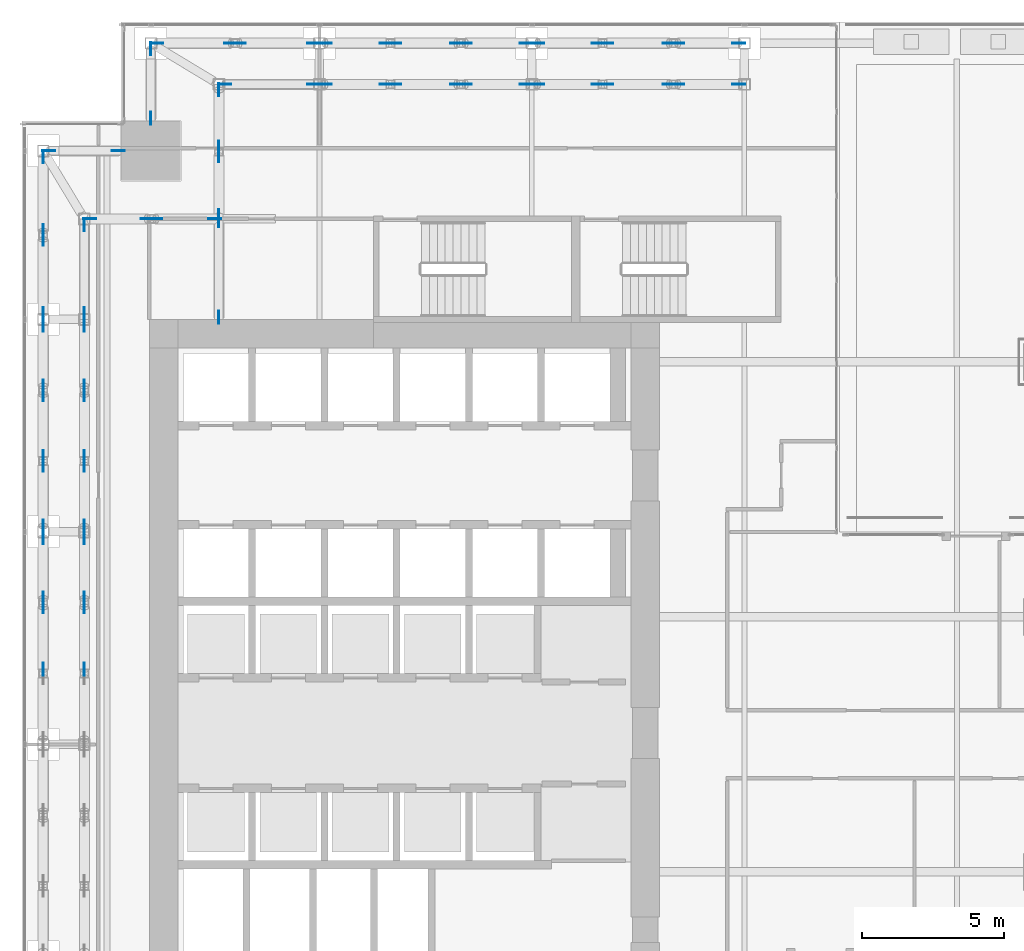
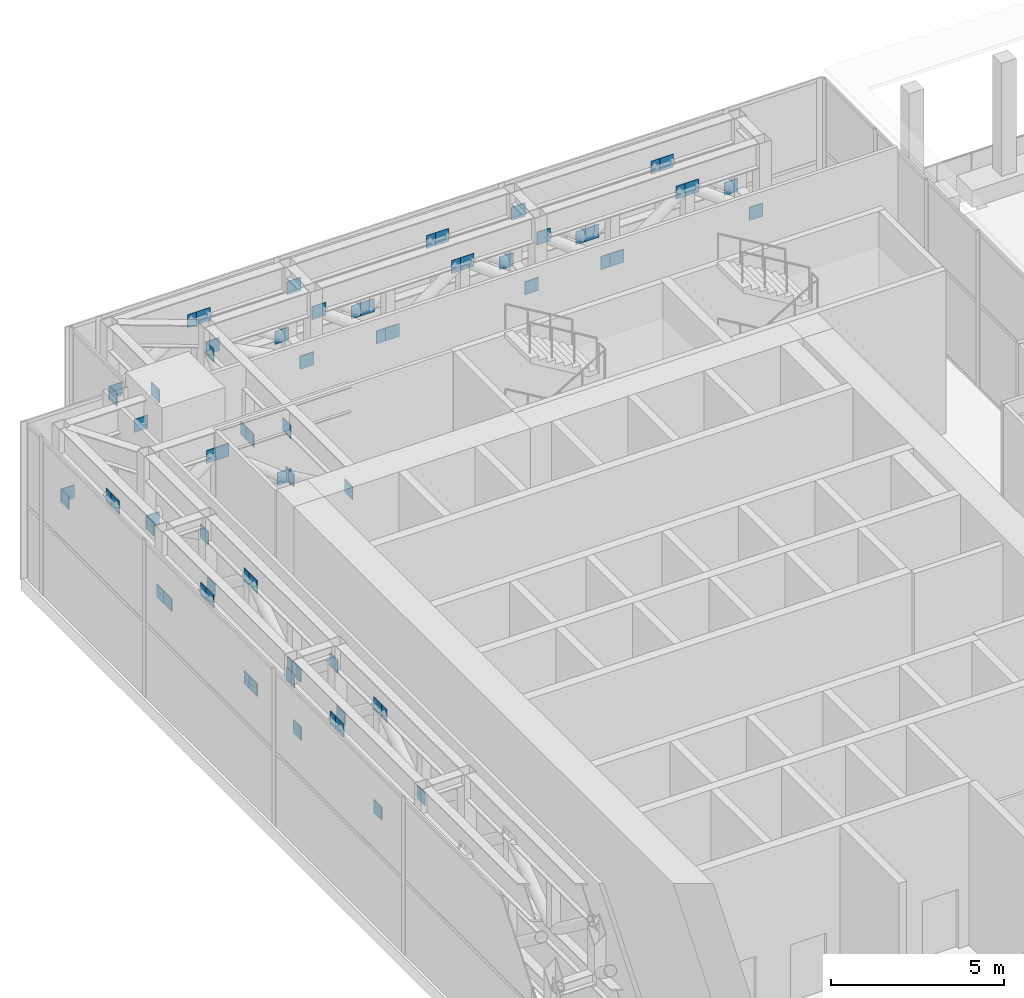
# One storey, part 42 of 47: 70 discrete accessories.
"""IFC4 building model written with IfcOpenShell, lengths in metres."""

from ifc_helpers import new_model, si_unit, direction, frame, origin, origin_2d, place, context, subcontext, project, spatial, rectangle, extrude, source, transform, mapped, material, layer, layer_set, type_object, element, save


model = new_model("IFC4")

# Units and contexts
model_context = context("Model", 3, precision=1e-05, world=origin(), true_north=direction((0.0, 1.0)))
body_context = subcontext(model_context, "Body", "Model", "MODEL_VIEW")
ifc_project = project(units=[si_unit("LENGTHUNIT", "METRE"), si_unit("AREAUNIT", "SQUARE_METRE"), si_unit("VOLUMEUNIT", "CUBIC_METRE"), si_unit("PLANEANGLEUNIT", "RADIAN"), si_unit("MASSUNIT", "GRAM", prefix="KILO")], contexts=[model_context])

# Site, building, storey
site_placement = place(None, origin())
site = spatial("IfcSite", under=ifc_project, at=site_placement, CompositionType="ELEMENT")
building_placement = place(site_placement, origin())
building = spatial("IfcBuilding", under=site, at=building_placement, Name="Khomas Fold Tower", CompositionType="ELEMENT")
storey_placement = place(building_placement, frame((0.0, 0.0, 158.699951171875)))
storey = spatial("IfcBuildingStorey", under=building, at=storey_placement, Name="L34", CompositionType="ELEMENT", Elevation=158.699951171875)

# Discrete accessories
ifc_material = material(Name="Steel S355", Category="steel")
ifc_layer = layer(ifc_material, 0.030029296875)
ifc_layer_set = layer_set([ifc_layer], Name="Steel S355")
discrete_accessory_type = type_object("IfcDiscreteAccessoryType", Name="Gusset plate 30 x 460 GP2", PredefinedType="BRACKET", material=ifc_layer_set)
shared_shape = source(origin(), body_context, "Body", "SweptSolid", [
    extrude(rectangle(XDim=0.4599609375, YDim=0.030029296875, at=origin_2d()), origin(), (0.0, 0.0, 1.0), 0.4599609375),
])
for number, where, z_axis, x_axis, name in (
    (1, (2.25, 29.64990234375, 3.01513671875), (0.0, 0.0, 1.0), (0.0, 1.0, 0.0), "Gusset plate BT2-D"),
    (2, (2.25, 31.85009765625, 4.625), (0.0, 0.0, 1.0), (0.0, 1.0, 0.0), "Gusset plate BT2-D"),
    (3, (2.25, 32.14990234375, 4.625), (0.0, 0.0, 1.0), (0.0, 1.0, 0.0), "Gusset plate BT2-D"),
    (4, (2.25, 34.300048828125, 3.01513671875), (0.0, 0.0, 1.0), (0.0, 1.0, 0.0), "Gusset plate BT2-D"),
    (5, (2.25, 34.699951171875, 4.625), (0.0, 0.0, 1.0), (0.0, 1.0, 0.0), "Gusset plate BT2-D"),
    (6, (2.25, 36.85009765625, 3.01513671875), (0.0, 0.0, 1.0), (0.0, 1.0, 0.0), "Gusset plate BT2-D"),
    (7, (2.25, 37.14990234375, 3.01513671875), (0.0, 0.0, 1.0), (0.0, 1.0, 0.0), "Gusset plate BT2-D"),
    (8, (2.25, 39.35009765625, 4.625), (0.0, 0.0, 1.0), (0.0, 1.0, 0.0), "Gusset plate BT2-D"),
    (9, (2.25, 39.64990234375, 4.625), (0.0, 0.0, 1.0), (0.0, 1.0, 0.0), "Gusset plate BT2-D"),
    (10, (2.25, 41.800048828125, 3.01513671875), (0.0, 0.0, 1.0), (0.0, 1.0, 0.0), "Gusset plate BT2-D"),
    (11, (2.25, 42.199951171875, 3.01513671875), (0.0, 0.0, 1.0), (0.0, 1.0, 0.0), "Gusset plate BT2-D"),
    (12, (2.25, 44.824951171875, 4.625), (0.0, 0.0, 1.0), (0.0, 1.0, 0.0), "Gusset plate BT2-D"),
    (13, (2.25, 45.125, 4.625), (0.0, 0.0, 1.0), (0.0, 1.0, 0.0), "Gusset plate BT2-D"),
    (14, (2.25, 47.75, 3.01513671875), (0.0, 0.0, 1.0), (0.0, 1.0, 0.0), "Gusset plate BT2-D"),
    (15, (2.449951171875, 47.949951171875, 3.01513671875), (0.0, 0.0, 1.0), (1.0, 0.0, 0.0), "Gusset plate BT2-D"),
    (16, (3.699951171875, 29.64990234375, 3.01513671875), (0.0, 0.0, 1.0), (0.0, 1.0, 0.0), "Gusset plate BT2-D"),
    (17, (3.699951171875, 31.85009765625, 4.625), (0.0, 0.0, 1.0), (0.0, 1.0, 0.0), "Gusset plate BT2-D"),
    (18, (3.699951171875, 32.14990234375, 4.625), (0.0, 0.0, 1.0), (0.0, 1.0, 0.0), "Gusset plate BT2-D"),
    (19, (3.699951171875, 34.300048828125, 3.01513671875), (0.0, 0.0, 1.0), (0.0, 1.0, 0.0), "Gusset plate BT2-D"),
    (20, (3.699951171875, 34.699951171875, 4.625), (0.0, 0.0, 1.0), (0.0, 1.0, 0.0), "Gusset plate BT2-D"),
    (21, (3.699951171875, 36.85009765625, 3.01513671875), (0.0, 0.0, 1.0), (0.0, 1.0, 0.0), "Gusset plate BT2-D"),
    (22, (3.699951171875, 37.14990234375, 3.01513671875), (0.0, 0.0, 1.0), (0.0, 1.0, 0.0), "Gusset plate BT2-D"),
    (23, (3.699951171875, 39.35009765625, 4.625), (0.0, 0.0, 1.0), (0.0, 1.0, 0.0), "Gusset plate BT2-D"),
    (24, (3.699951171875, 39.64990234375, 4.625), (0.0, 0.0, 1.0), (0.0, 1.0, 0.0), "Gusset plate BT2-D"),
    (25, (3.699951171875, 41.800048828125, 3.01513671875), (0.0, 0.0, 1.0), (0.0, 1.0, 0.0), "Gusset plate BT2-D"),
    (26, (3.699951171875, 42.199951171875, 4.625), (0.0, 0.0, 1.0), (0.0, 1.0, 0.0), "Gusset plate BT2-D"),
    (27, (3.699951171875, 45.35009765625, 3.01513671875), (0.0, 0.0, 1.0), (0.0, 1.0, 0.0), "Gusset plate BT2-D"),
    (28, (3.89990234375, 45.550048828125, 3.01513671875), (0.0, 0.0, 1.0), (1.0, 0.0, 0.0), "Gusset plate BT2-D"),
    (29, (4.905517578125, 47.949951171875, 4.625), (0.0, 0.0, 1.0), (1.0, 0.0, 0.0), "Gusset plate BT2-D"),
    (30, (5.925048828125, 45.550048828125, 4.625), (0.0, 0.0, 1.0), (1.0, 0.0, 0.0), "Gusset plate BT2-D"),
    (31, (6.050048828125, 49.094482421875, 4.625), (0.0, 0.0, 1.0), (0.0, 1.0, 0.0), "Gusset plate BT2-D"),
    (32, (6.050048828125, 51.550048828125, 3.01513671875), (0.0, 0.0, 1.0), (0.0, 1.0, 0.0), "Gusset plate BT2-D"),
    (33, (6.22509765625, 45.550048828125, 4.625), (0.0, 0.0, 1.0), (1.0, 0.0, 0.0), "Gusset plate BT2-D"),
    (34, (6.25, 51.75, 3.01513671875), (0.0, 0.0, 1.0), (1.0, 0.0, 0.0), "Gusset plate BT2-D"),
    (35, (8.300048828125, 45.550048828125, 3.01513671875), (0.0, 0.0, 1.0), (1.0, 0.0, 0.0), "Gusset plate BT2-D"),
    (36, (8.449951171875, 42.072998046875, 4.625), (0.0, 0.0, 1.0), (0.0, 1.0, 0.0), "Gusset plate BT2-D"),
    (37, (8.449951171875, 45.47705078125, 3.01513671875), (0.0, 0.0, 1.0), (0.0, 1.0, 0.0), "Gusset plate BT2-D"),
    (38, (8.449951171875, 45.65380859375, 4.625), (0.0, 0.0, 1.0), (0.0, 1.0, 0.0), "Gusset plate BT2-D"),
    (39, (8.449951171875, 47.77490234375, 3.01513671875), (0.0, 0.0, 1.0), (0.0, 1.0, 0.0), "Gusset plate BT2-D"),
    (40, (8.449951171875, 48.074951171875, 3.01513671875), (0.0, 0.0, 1.0), (0.0, 1.0, 0.0), "Gusset plate BT2-D"),
    (41, (8.449951171875, 50.10009765625, 4.625), (0.0, 0.0, 1.0), (0.0, 1.0, 0.0), "Gusset plate BT2-D"),
    (42, (8.64990234375, 50.300048828125, 4.625), (0.0, 0.0, 1.0), (1.0, 0.0, 0.0), "Gusset plate BT2-D"),
    (43, (8.875, 51.75, 4.625), (0.0, 0.0, 1.0), (1.0, 0.0, 0.0), "Gusset plate BT2-D"),
    (44, (9.175048828125, 51.75, 4.625), (0.0, 0.0, 1.0), (1.0, 0.0, 0.0), "Gusset plate BT2-D"),
    (45, (11.800048828125, 50.300048828125, 3.01513671875), (0.0, 0.0, 1.0), (1.0, 0.0, 0.0), "Gusset plate BT2-D"),
    (46, (11.800048828125, 51.75, 3.01513671875), (0.0, 0.0, 1.0), (1.0, 0.0, 0.0), "Gusset plate BT2-D"),
    (47, (12.199951171875, 50.300048828125, 4.625), (0.0, 0.0, 1.0), (1.0, 0.0, 0.0), "Gusset plate BT2-D"),
    (48, (12.199951171875, 51.75, 4.625), (0.0, 0.0, 1.0), (1.0, 0.0, 0.0), "Gusset plate BT2-D"),
    (49, (14.35009765625, 50.300048828125, 3.01513671875), (0.0, 0.0, 1.0), (1.0, 0.0, 0.0), "Gusset plate BT2-D"),
    (50, (14.35009765625, 51.75, 3.01513671875), (0.0, 0.0, 1.0), (1.0, 0.0, 0.0), "Gusset plate BT2-D"),
    (51, (14.64990234375, 50.300048828125, 3.01513671875), (0.0, 0.0, 1.0), (1.0, 0.0, 0.0), "Gusset plate BT2-D"),
    (52, (14.64990234375, 51.75, 3.01513671875), (0.0, 0.0, 1.0), (1.0, 0.0, 0.0), "Gusset plate BT2-D"),
    (53, (16.85009765625, 50.300048828125, 4.625), (0.0, 0.0, 1.0), (1.0, 0.0, 0.0), "Gusset plate BT2-D"),
    (54, (16.85009765625, 51.75, 4.625), (0.0, 0.0, 1.0), (1.0, 0.0, 0.0), "Gusset plate BT2-D"),
    (55, (17.14990234375, 50.300048828125, 4.625), (0.0, 0.0, 1.0), (1.0, 0.0, 0.0), "Gusset plate BT2-D"),
    (56, (17.14990234375, 51.75, 4.625), (0.0, 0.0, 1.0), (1.0, 0.0, 0.0), "Gusset plate BT2-D"),
    (57, (19.300048828125, 50.300048828125, 3.01513671875), (0.0, 0.0, 1.0), (1.0, 0.0, 0.0), "Gusset plate BT2-D"),
    (58, (19.300048828125, 51.75, 3.01513671875), (0.0, 0.0, 1.0), (1.0, 0.0, 0.0), "Gusset plate BT2-D"),
    (59, (19.699951171875, 50.300048828125, 4.625), (0.0, 0.0, 1.0), (1.0, 0.0, 0.0), "Gusset plate BT2-D"),
    (60, (19.699951171875, 51.75, 4.625), (0.0, 0.0, 1.0), (1.0, 0.0, 0.0), "Gusset plate BT2-D"),
    (61, (21.85009765625, 50.300048828125, 3.01513671875), (0.0, 0.0, 1.0), (1.0, 0.0, 0.0), "Gusset plate BT2-D"),
    (62, (21.85009765625, 51.75, 3.01513671875), (0.0, 0.0, 1.0), (1.0, 0.0, 0.0), "Gusset plate BT2-D"),
    (63, (22.14990234375, 50.300048828125, 3.01513671875), (0.0, 0.0, 1.0), (1.0, 0.0, 0.0), "Gusset plate BT2-D"),
    (64, (22.14990234375, 51.75, 3.01513671875), (0.0, 0.0, 1.0), (1.0, 0.0, 0.0), "Gusset plate BT2-D"),
    (65, (24.35009765625, 50.300048828125, 4.625), (0.0, 0.0, 1.0), (1.0, 0.0, 0.0), "Gusset plate BT2-D"),
    (66, (24.35009765625, 51.75, 4.625), (0.0, 0.0, 1.0), (1.0, 0.0, 0.0), "Gusset plate BT2-D"),
    (67, (24.64990234375, 50.300048828125, 4.625), (0.0, 0.0, 1.0), (1.0, 0.0, 0.0), "Gusset plate BT2-D"),
    (68, (24.64990234375, 51.75, 4.625), (0.0, 0.0, 1.0), (1.0, 0.0, 0.0), "Gusset plate BT2-D"),
    (69, (26.800048828125, 50.300048828125, 3.01513671875), (0.0, 0.0, 1.0), (1.0, 0.0, 0.0), "Gusset plate BT2-D"),
    (70, (26.800048828125, 51.75, 3.01513671875), (0.0, 0.0, 1.0), (1.0, 0.0, 0.0), "Gusset plate BT2-D"),
):
    element("IfcDiscreteAccessory", number, at=place(storey_placement, frame(where, z_axis=z_axis, x_axis=x_axis)), inside=storey, type_object=discrete_accessory_type, Name=name, PredefinedType="BRACKET", context=body_context, shape_type="MappedRepresentation", body=[
        mapped(shared_shape, transform((0.0, 0.0, 0.0))),
    ])

save(model, "model.ifc")
